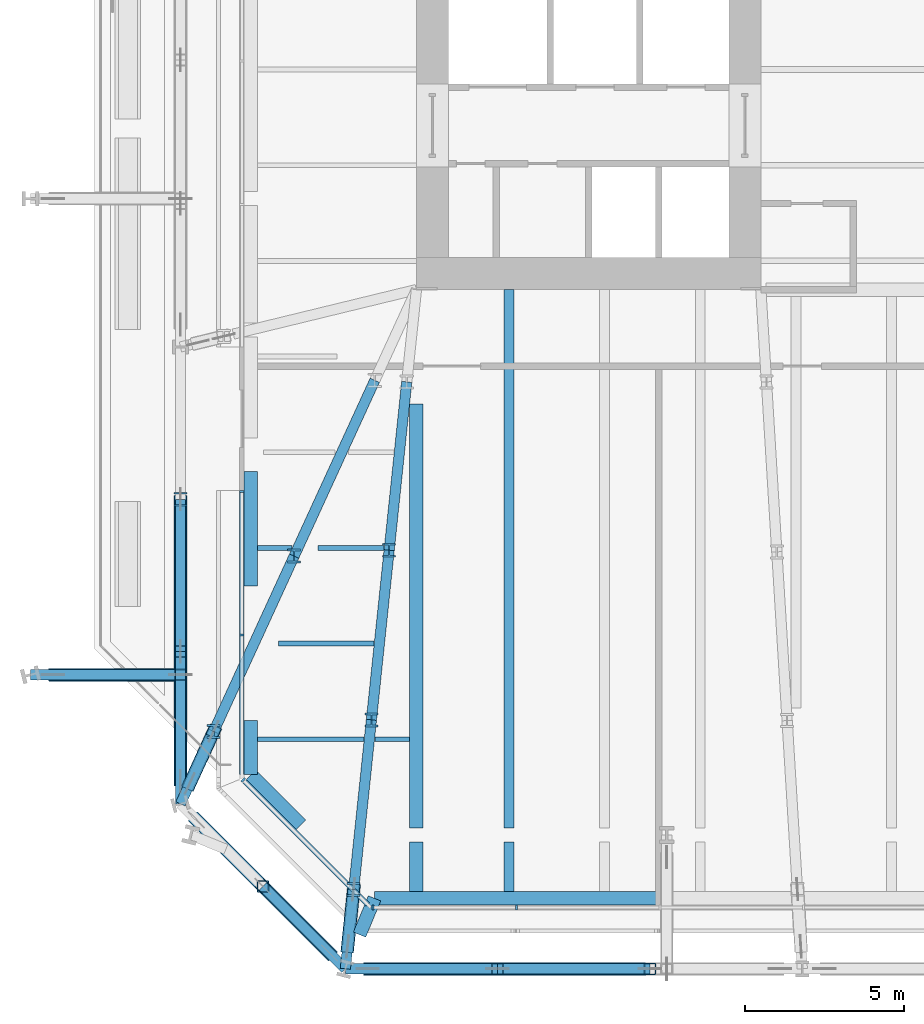
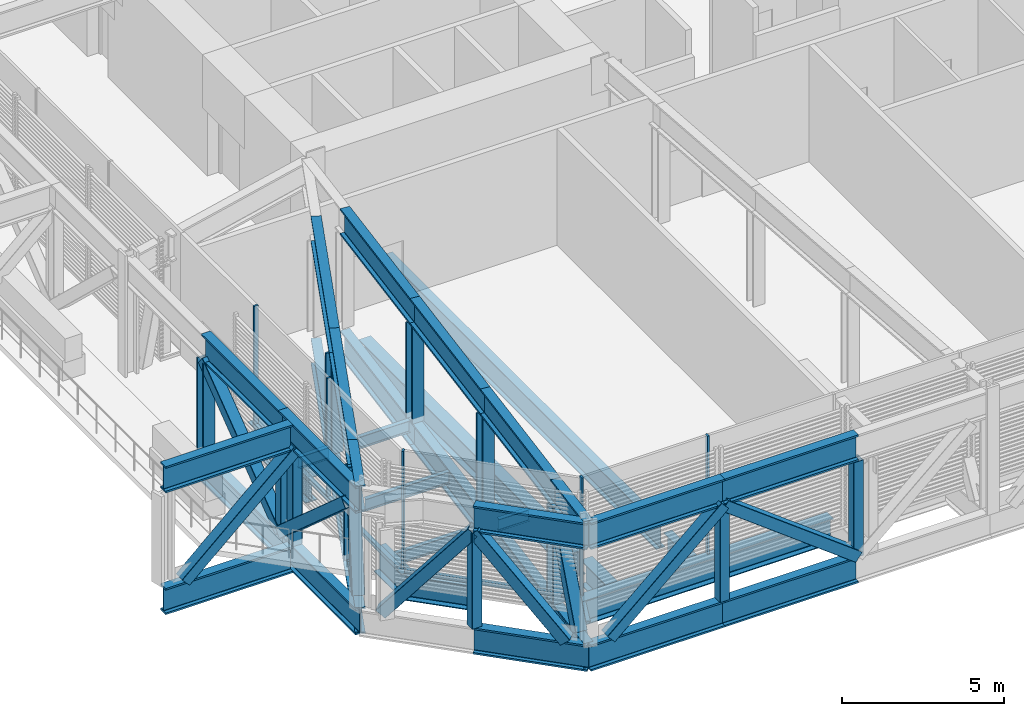
# One storey, part 2 of 29: 40 beams, 27 members, 3 elements without a shape of their own.
"""IFC4 building model written with IfcOpenShell, lengths in metres."""

from ifc_helpers import new_model, si_unit, direction, frame, origin, origin_2d, place, context, subcontext, project, spatial, rectangle, hollow_rectangle, i_section, extrude, material, layer, layer_set, material_profile, profile_set, type_object, element, aggregate, save


model = new_model("IFC4")

# Units and contexts
model_context = context("Model", 3, precision=1e-05, world=origin(), true_north=direction((0.0, 1.0)))
body_context = subcontext(model_context, "Body", "Model", "MODEL_VIEW")
ifc_project = project(units=[si_unit("LENGTHUNIT", "METRE"), si_unit("AREAUNIT", "SQUARE_METRE"), si_unit("VOLUMEUNIT", "CUBIC_METRE"), si_unit("PLANEANGLEUNIT", "RADIAN"), si_unit("MASSUNIT", "GRAM", prefix="KILO")], contexts=[model_context])

# Site, building, storey
site_placement = place(None, origin())
site = spatial("IfcSite", under=ifc_project, at=site_placement, CompositionType="ELEMENT")
building_placement = place(site_placement, origin())
building = spatial("IfcBuilding", under=site, at=building_placement, Name="Millrace Tower", CompositionType="ELEMENT")
storey_placement = place(building_placement, frame((0.0, 0.0, 68.60009765625)))
storey = spatial("IfcBuildingStorey", under=building, at=storey_placement, Name="L15", CompositionType="ELEMENT", Elevation=68.60009765625)

# Curtain wall, member
ifc_material_1 = material(Name="Aluminium and glass", Category="aluminium")
ifc_layer = layer(ifc_material_1, 0.14990234375)
ifc_layer_set = layer_set([ifc_layer], Name="Aluminium and glass")
curtain_wall_type = type_object("IfcCurtainWallType", Name="CW-5 truss and plant storey louvred infill", PredefinedType="NOTDEFINED", material=ifc_layer_set)
placement = place(storey_placement, origin())
curtain_wall_1 = element("IfcCurtainWall", 1, at=placement, inside=storey, type_object=curtain_wall_type, Name="Curtain wall B-F01 L15", PredefinedType="NOTDEFINED")
ifc_material_2 = material(Name="Aluminium", Category="aluminium")
ifc_material_profile_1 = material_profile(ifc_material_2, rectangle(XDim=0.06494140625, YDim=0.14990234375, at=origin_2d()))
ifc_profile_set_1 = profile_set([ifc_material_profile_1], Name="Aluminium")
member_type_1 = type_object("IfcMemberType", Name="CW-5 truss and plant storey louvred infill mullion", PredefinedType="MULLION", material=ifc_profile_set_1)
member_1_placement = place(storey_placement, frame((-20.330078125, -25.276123046875, 0.139892578125), z_axis=(0.0, 0.0, 1.0), x_axis=(0.707106781187, -0.707106781187, 0.0)))
member_1 = element("IfcMember", 2, at=member_1_placement, type_object=member_type_1, Name="CW5 mullion B-F01.1", PredefinedType="MULLION", context=body_context, shape_type="SweptSolid", body=[
    extrude(rectangle(XDim=0.06494140625, YDim=0.14990234375, at=origin_2d()), origin(), (0.0, 0.0, 1.0), 4.4599609375),
])

# Curtain wall, members
curtain_wall_2 = element("IfcCurtainWall", 3, at=placement, inside=storey, type_object=curtain_wall_type, Name="Curtain wall B-F02 L15", PredefinedType="NOTDEFINED")
member_2_placement = place(storey_placement, frame((-16.267578125, -29.27490234375, 0.139892578125), z_axis=(0.0, 0.0, 1.0), x_axis=(1.0, 0.0, 0.0)))
member_2 = element("IfcMember", 4, at=member_2_placement, type_object=member_type_1, Name="CW5 mullion B-F02.1", PredefinedType="MULLION", context=body_context, shape_type="SweptSolid", body=[
    extrude(rectangle(XDim=0.06494140625, YDim=0.14990234375, at=origin_2d()), origin(), (0.0, 0.0, 1.0), 4.4599609375),
])
member_3_placement = place(storey_placement, frame((-11.767578125, -29.27490234375, 0.139892578125), z_axis=(0.0, 0.0, 1.0), x_axis=(1.0, 0.0, 0.0)))
member_3 = element("IfcMember", 5, at=member_3_placement, type_object=member_type_1, Name="CW5 mullion B-F02.2", PredefinedType="MULLION", context=body_context, shape_type="SweptSolid", body=[
    extrude(rectangle(XDim=0.06494140625, YDim=0.14990234375, at=origin_2d()), origin(), (0.0, 0.0, 1.0), 4.4599609375),
])
aggregate(curtain_wall_2, [member_2, member_3])

curtain_wall_3 = element("IfcCurtainWall", 6, at=placement, inside=storey, type_object=curtain_wall_type, Name="Curtain wall B-F08 L15", PredefinedType="NOTDEFINED")
member_4_placement = place(storey_placement, frame((-20.375, -16.232421875, 0.139892578125), z_axis=(0.0, 0.0, 1.0), x_axis=(0.0, -1.0, 0.0)))
member_4 = element("IfcMember", 7, at=member_4_placement, type_object=member_type_1, Name="CW5 mullion B-F08.8", PredefinedType="MULLION", context=body_context, shape_type="SweptSolid", body=[
    extrude(rectangle(XDim=0.06494140625, YDim=0.14990234375, at=origin_2d()), origin(), (0.0, 0.0, 1.0), 4.4599609375),
])
member_5_placement = place(storey_placement, frame((-20.375, -20.732421875, 0.139892578125), z_axis=(0.0, 0.0, 1.0), x_axis=(0.0, -1.0, 0.0)))
member_5 = element("IfcMember", 8, at=member_5_placement, type_object=member_type_1, Name="CW5 mullion B-F08.9", PredefinedType="MULLION", context=body_context, shape_type="SweptSolid", body=[
    extrude(rectangle(XDim=0.06494140625, YDim=0.14990234375, at=origin_2d()), origin(), (0.0, 0.0, 1.0), 4.4599609375),
])

# Member
ifc_material_3 = material(Name="Aluminium", Category="aluminium")
ifc_material_profile_2 = material_profile(ifc_material_3, rectangle(XDim=0.14990234375, YDim=0.139892578125, at=origin_2d()))
ifc_profile_set_2 = profile_set([ifc_material_profile_2], Name="Aluminium")
member_type_2 = type_object("IfcMemberType", Name="CW-5 truss and plant storey louvred infill transom", PredefinedType="USERDEFINED", material=ifc_profile_set_2)
member_6_placement = place(storey_placement, frame((-20.2822265625, -25.32373046875, 0.06982421875), z_axis=(0.707084410407, -0.707129151258, 0.0), x_axis=(0.707129151258, 0.707084410407, 0.0)))
member_6 = element("IfcMember", 9, at=member_6_placement, type_object=member_type_2, Name="CW5 transom B-F01.1", ObjectType="TRANSOM", PredefinedType="USERDEFINED", context=body_context, shape_type="SweptSolid", body=[
    extrude(rectangle(XDim=0.14990234375, YDim=0.139892578125, at=origin_2d()), origin(), (0.0, 0.0, 1.0), 5.456787109375),
])

aggregate(curtain_wall_1, [member_1, member_6])

member_7_placement = place(storey_placement, frame((-20.375, -16.199951171875, 0.06982421875), z_axis=(0.0, -1.0, 0.0), x_axis=(1.0, 0.0, 0.0)))
member_7 = element("IfcMember", 10, at=member_7_placement, type_object=member_type_2, Name="CW5 transom B-F08.3", ObjectType="TRANSOM", PredefinedType="USERDEFINED", context=body_context, shape_type="SweptSolid", body=[
    extrude(rectangle(XDim=0.14990234375, YDim=0.139892578125, at=origin_2d()), origin(), (0.0, 0.0, 1.0), 8.900146484375),
])

aggregate(curtain_wall_3, [member_4, member_5, member_7])

# Beams
ifc_material_4 = material(Name="Steel ASTM A992 Grade 50", Category="steel")
ifc_material_profile_3 = material_profile(ifc_material_4, i_section(OverallWidth=0.15234375, OverallDepth=0.449462890625, WebThickness=0.007568359375, FlangeThickness=0.0107421875, FilletRadius=0.01025390625, at=origin_2d()))
ifc_profile_set_3 = profile_set([ifc_material_profile_3], Name="Steel ASTM A992 Grade 50")
beam_type_1 = type_object("IfcBeamType", Name="Floor beam W18x35", PredefinedType="JOIST", material=ifc_profile_set_3)
beam_1_placement = place(storey_placement, frame((-19.880859375, -24.0, -0.4248046875), z_axis=(1.0, 0.0, 0.0), x_axis=(0.0, 1.0, 0.0)))
element("IfcBeam", 11, at=beam_1_placement, inside=storey, type_object=beam_type_1, Name="BM-B-L15-S1-S003-a", PredefinedType="JOIST", context=body_context, shape_type="SweptSolid", body=[
    extrude(i_section(OverallWidth=0.15234375, OverallDepth=0.449462890625, WebThickness=0.007568359375, FlangeThickness=0.0107421875, FilletRadius=0.01025390625, at=origin_2d()), origin(), (0.0, 0.0, 1.0), 3.3349609375),
])
beam_2_placement = place(storey_placement, frame((-16.204345703125, -24.0, -0.4248046875), z_axis=(1.0, 0.0, 0.0), x_axis=(0.0, 1.0, 0.0)))
element("IfcBeam", 12, at=beam_2_placement, inside=storey, type_object=beam_type_1, Name="BM-B-L15-S1-S003-b", PredefinedType="JOIST", context=body_context, shape_type="SweptSolid", body=[
    extrude(i_section(OverallWidth=0.15234375, OverallDepth=0.449462890625, WebThickness=0.007568359375, FlangeThickness=0.0107421875, FilletRadius=0.01025390625, at=origin_2d()), origin(), (0.0, 0.0, 1.0), 1.093505859375),
])
beam_3_placement = place(storey_placement, frame((-19.223876953125, -21.0, -0.4248046875), z_axis=(1.0, 0.0, 0.0), x_axis=(0.0, 1.0, 0.0)))
element("IfcBeam", 13, at=beam_3_placement, inside=storey, type_object=beam_type_1, Name="BM-B-L15-S1-S005", PredefinedType="JOIST", context=body_context, shape_type="SweptSolid", body=[
    extrude(i_section(OverallWidth=0.15234375, OverallDepth=0.449462890625, WebThickness=0.007568359375, FlangeThickness=0.0107421875, FilletRadius=0.01025390625, at=origin_2d()), origin(), (0.0, 0.0, 1.0), 2.99169921875),
])
beam_4_placement = place(storey_placement, frame((-19.880859375, -18.0, -0.4248046875), z_axis=(1.0, 0.0, 0.0), x_axis=(0.0, 1.0, 0.0)))
element("IfcBeam", 14, at=beam_4_placement, inside=storey, type_object=beam_type_1, Name="BM-B-L15-S1-S007-a", PredefinedType="JOIST", context=body_context, shape_type="SweptSolid", body=[
    extrude(i_section(OverallWidth=0.15234375, OverallDepth=0.449462890625, WebThickness=0.007568359375, FlangeThickness=0.0107421875, FilletRadius=0.01025390625, at=origin_2d()), origin(), (0.0, 0.0, 1.0), 1.0869140625),
])
beam_5_placement = place(storey_placement, frame((-17.98193359375, -18.0, -0.4248046875), z_axis=(1.0, 0.0, 0.0), x_axis=(0.0, 1.0, 0.0)))
element("IfcBeam", 15, at=beam_5_placement, inside=storey, type_object=beam_type_1, Name="BM-B-L15-S1-S007-b", PredefinedType="JOIST", context=body_context, shape_type="SweptSolid", body=[
    extrude(i_section(OverallWidth=0.15234375, OverallDepth=0.449462890625, WebThickness=0.007568359375, FlangeThickness=0.0107421875, FilletRadius=0.01025390625, at=origin_2d()), origin(), (0.0, 0.0, 1.0), 2.063720703125),
])
ifc_material_5 = material(Name="Steel ASTM A992 Grade 50", Category="steel")
ifc_material_profile_4 = material_profile(ifc_material_5, i_section(OverallWidth=0.307373046875, OverallDepth=0.927001953125, WebThickness=0.01953125, FlangeThickness=0.031982421875, FilletRadius=0.01904296875, at=origin_2d()))
ifc_profile_set_4 = profile_set([ifc_material_profile_4], Name="Steel ASTM A992 Grade 50")
beam_type_2 = type_object("IfcBeamType", Name="Floor beam W36x194", PredefinedType="JOIST", material=ifc_profile_set_4)
beam_6_placement = place(storey_placement, frame((-12.0, -28.781005859375, -0.66357421875), z_axis=(0.0, 1.0, 0.0), x_axis=(-1.0, 0.0, 0.0)))
element("IfcBeam", 16, at=beam_6_placement, inside=storey, type_object=beam_type_2, Name="BM-B-L15-S1-S041-a", PredefinedType="JOIST", context=body_context, shape_type="SweptSolid", body=[
    extrude(i_section(OverallWidth=0.307373046875, OverallDepth=0.927001953125, WebThickness=0.01953125, FlangeThickness=0.031982421875, FilletRadius=0.01904296875, at=origin_2d()), origin(), (0.0, 0.0, 1.0), 1.559326171875),
])
beam_7_placement = place(storey_placement, frame((-12.0, -26.7783203125, -0.66357421875), z_axis=(0.0, 1.0, 0.0), x_axis=(-1.0, 0.0, 0.0)))
element("IfcBeam", 17, at=beam_7_placement, inside=storey, type_object=beam_type_2, Name="BM-B-L15-S1-S041-b", PredefinedType="JOIST", context=body_context, shape_type="SweptSolid", body=[
    extrude(i_section(OverallWidth=0.307373046875, OverallDepth=0.927001953125, WebThickness=0.01953125, FlangeThickness=0.031982421875, FilletRadius=0.01904296875, at=origin_2d()), origin(), (0.0, 0.0, 1.0), 16.87841796875),
])
ifc_material_6 = material(Name="Steel ASTM A992 Grade 50", Category="steel")
ifc_material_profile_5 = material_profile(ifc_material_6, i_section(OverallWidth=0.424072265625, OverallDepth=0.947509765625, WebThickness=0.02392578125, FlangeThickness=0.042724609375, FilletRadius=0.024169921875, at=origin_2d()))
ifc_profile_set_5 = profile_set([ifc_material_profile_5], Name="Steel ASTM A992 Grade 50")
beam_type_3 = type_object("IfcBeamType", Name="Girder medium span W36x302", PredefinedType="BEAM", material=ifc_profile_set_5)
beam_8_placement = place(storey_placement, frame((-14.89990234375, -26.781494140625, -0.673828125), z_axis=(0.0, 1.0, 0.0), x_axis=(-1.0, 0.0, 0.0)))
element("IfcBeam", 18, at=beam_8_placement, inside=storey, type_object=beam_type_3, Name="BM-B-L15-S1-G059-b-a", PredefinedType="BEAM", context=body_context, shape_type="SweptSolid", body=[
    extrude(i_section(OverallWidth=0.424072265625, OverallDepth=0.947509765625, WebThickness=0.02392578125, FlangeThickness=0.042724609375, FilletRadius=0.024169921875, at=origin_2d()), origin(), (0.0, 0.0, 1.0), 13.293212890625),
])
ifc_material_7 = material(Name="Steel ASTM A992 Grade 50", Category="steel")
ifc_material_profile_6 = material_profile(ifc_material_7, i_section(OverallWidth=0.424072265625, OverallDepth=0.947509765625, WebThickness=0.02392578125, FlangeThickness=0.042724609375, FilletRadius=0.024169921875, at=origin_2d()))
ifc_profile_set_6 = profile_set([ifc_material_profile_6], Name="Steel ASTM A992 Grade 50")
beam_type_4 = type_object("IfcBeamType", Name="Girder short span W36x302", PredefinedType="BEAM", material=ifc_profile_set_6)
beam_9_placement = place(storey_placement, frame((-14.89990234375, -28.781005859375, -0.673828125), z_axis=(0.0, 1.0, 0.0), x_axis=(-1.0, 0.0, 0.0)))
element("IfcBeam", 19, at=beam_9_placement, inside=storey, type_object=beam_type_4, Name="BM-B-L15-S1-G059-a", PredefinedType="BEAM", context=body_context, shape_type="SweptSolid", body=[
    extrude(i_section(OverallWidth=0.424072265625, OverallDepth=0.947509765625, WebThickness=0.02392578125, FlangeThickness=0.042724609375, FilletRadius=0.024169921875, at=origin_2d()), origin(), (0.0, 0.0, 1.0), 1.5625),
])
ifc_material_8 = material(Name="Steel ASTM A992 Grade 50", Category="steel")
ifc_material_profile_7 = material_profile(ifc_material_8, i_section(OverallWidth=0.421630859375, OverallDepth=0.95751953125, WebThickness=0.02587890625, FlangeThickness=0.046875, FilletRadius=0.024169921875, at=origin_2d()))
ifc_profile_set_7 = profile_set([ifc_material_profile_7], Name="Steel ASTM A992 Grade 50")
beam_type_5 = type_object("IfcBeamType", Name="Link beam W36x330", PredefinedType="BEAM", material=ifc_profile_set_7)
beam_10_placement = place(storey_placement, frame((-16.213134765625, -28.990478515625, -0.678955078125), z_axis=(-0.382701683298, -0.923871972516, 0.0), x_axis=(0.923871972516, -0.382701683298, 0.0)))
element("IfcBeam", 20, at=beam_10_placement, inside=storey, type_object=beam_type_5, Name="LNK-B-L15-S1-16", PredefinedType="BEAM", context=body_context, shape_type="SweptSolid", body=[
    extrude(i_section(OverallWidth=0.421630859375, OverallDepth=0.95751953125, WebThickness=0.02587890625, FlangeThickness=0.046875, FilletRadius=0.024169921875, at=origin_2d()), origin(), (0.0, 0.0, 1.0), 1.232421875),
])
ifc_material_9 = material(Name="Steel ASTM A992 Grade 50", Category="steel")
ifc_material_profile_8 = material_profile(ifc_material_9, i_section(OverallWidth=0.419189453125, OverallDepth=0.927001953125, WebThickness=0.019287109375, FlangeThickness=0.031982421875, FilletRadius=0.024169921875, at=origin_2d()))
ifc_profile_set_8 = profile_set([ifc_material_profile_8], Name="Steel ASTM A992 Grade 50")
beam_type_6 = type_object("IfcBeamType", Name="Ring beam short span W36x231", PredefinedType="SPANDREL", material=ifc_profile_set_8)
beam_11_placement = place(storey_placement, frame((-18.521240234375, -26.682373046875, -0.66357421875), z_axis=(-0.707106781187, 0.707106781187, 0.0), x_axis=(-0.707106781187, -0.707106781187, 0.0)))
element("IfcBeam", 21, at=beam_11_placement, inside=storey, type_object=beam_type_6, Name="RNG-B-L15-S1-16-b", PredefinedType="SPANDREL", context=body_context, shape_type="SweptSolid", body=[
    extrude(i_section(OverallWidth=0.419189453125, OverallDepth=0.927001953125, WebThickness=0.019287109375, FlangeThickness=0.031982421875, FilletRadius=0.024169921875, at=origin_2d()), origin(), (0.0, 0.0, 1.0), 2.218994140625),
])
beam_12_placement = place(storey_placement, frame((-7.212890625, -28.990478515625, -0.66357421875), z_axis=(-1.0, 0.0, 0.0), x_axis=(0.0, -1.0, 0.0)))
element("IfcBeam", 22, at=beam_12_placement, inside=storey, type_object=beam_type_6, Name="RNG-B-L15-S1-15-b", PredefinedType="SPANDREL", context=body_context, shape_type="SweptSolid", body=[
    extrude(i_section(OverallWidth=0.419189453125, OverallDepth=0.927001953125, WebThickness=0.019287109375, FlangeThickness=0.031982421875, FilletRadius=0.024169921875, at=origin_2d()), origin(), (0.0, 0.0, 1.0), 9.000244140625),
])
beam_13_placement = place(storey_placement, frame((-20.09033203125, -25.11328125, -0.66357421875), z_axis=(0.0, 1.0, 0.0), x_axis=(-1.0, 0.0, 0.0)))
element("IfcBeam", 23, at=beam_13_placement, inside=storey, type_object=beam_type_6, Name="RNG-B-L15-S1-01-a-a", PredefinedType="SPANDREL", context=body_context, shape_type="SweptSolid", body=[
    extrude(i_section(OverallWidth=0.419189453125, OverallDepth=0.927001953125, WebThickness=0.019287109375, FlangeThickness=0.031982421875, FilletRadius=0.024169921875, at=origin_2d()), origin(), (0.0, 0.0, 1.0), 1.69921875),
])
beam_14_placement = place(storey_placement, frame((-20.09033203125, -19.193359375, -0.66357421875), z_axis=(0.0, 1.0, 0.0), x_axis=(-1.0, 0.0, 0.0)))
element("IfcBeam", 24, at=beam_14_placement, inside=storey, type_object=beam_type_6, Name="RNG-B-L15-S1-01-a-b", PredefinedType="SPANDREL", context=body_context, shape_type="SweptSolid", body=[
    extrude(i_section(OverallWidth=0.419189453125, OverallDepth=0.927001953125, WebThickness=0.019287109375, FlangeThickness=0.031982421875, FilletRadius=0.024169921875, at=origin_2d()), origin(), (0.0, 0.0, 1.0), 3.591552734375),
])

# Members
ifc_material_10 = material(Name="Steel ASTM A992 Grade 50", Category="steel")
ifc_material_profile_9 = material_profile(ifc_material_10, i_section(OverallWidth=0.411376953125, OverallDepth=0.434326171875, WebThickness=0.035888671875, FlangeThickness=0.057373046875, FilletRadius=0.01513671875, at=origin_2d()))
ifc_profile_set_9 = profile_set([ifc_material_profile_9], Name="Steel ASTM A992 Grade 50")
member_type_3 = type_object("IfcMemberType", Name="Transfer truss Vierendeel moment post W14x311", PredefinedType="POST", material=ifc_profile_set_9)
for number, where, z_axis, x_axis, name in (
    (25, (-22.300048828125, -16.47607421875, -0.2001953125), (0.0, 0.0, 1.0), (1.0, 0.0, 0.0), "TRS-L15-R16-V01"),
    (26, (-21.257568359375, -23.756103515625, -0.2001953125), (0.0, 0.0, 1.0), (1.0, 0.0, 0.0), "TRS-L15-C01-V01"),
    (27, (-18.734375, -18.25732421875, -0.2001953125), (0.0, 0.0, 1.0), (1.0, 0.0, 0.0), "TRS-L15-C01-V02"),
    (28, (-16.868408203125, -28.713623046875, -0.2001953125), (0.0, 0.0, 1.0), (1.0, 0.0, 0.0), "TRS-L15-C02-V01"),
    (29, (-16.3115234375, -23.392578125, -0.2001953125), (0.0, 0.0, 1.0), (1.0, 0.0, 0.0), "TRS-L15-C02-V02"),
    (30, (-15.7548828125, -18.071533203125, -0.2001953125), (0.0, 0.0, 1.0), (1.0, 0.0, 0.0), "TRS-L15-C02-V03"),
):
    element("IfcMember", number, at=place(storey_placement, frame(where, z_axis=z_axis, x_axis=x_axis)), inside=storey, type_object=member_type_3, Name=name, PredefinedType="POST", context=body_context, shape_type="SweptSolid", body=[
        extrude(i_section(OverallWidth=0.411376953125, OverallDepth=0.434326171875, WebThickness=0.035888671875, FlangeThickness=0.057373046875, FilletRadius=0.01513671875, at=origin_2d()), origin(), (0.0, 0.0, 1.0), 3.60693359375),
    ])

# Beams
ifc_material_11 = material(Name="Steel ASTM A992 Grade 50", Category="steel")
ifc_material_profile_10 = material_profile(ifc_material_11, i_section(OverallWidth=0.322509765625, OverallDepth=0.9931640625, WebThickness=0.0361328125, FlangeThickness=0.06494140625, FilletRadius=0.01904296875, at=origin_2d()))
ifc_profile_set_10 = profile_set([ifc_material_profile_10], Name="Steel ASTM A992 Grade 50")
beam_type_7 = type_object("IfcBeamType", Name="Transfer truss chord W36x387", PredefinedType="BEAM", material=ifc_profile_set_10)
for number, where, z_axis, x_axis, name in (
    (31, (-19.714111328125, -28.6142578125, -0.69677734375), (0.707106781187, -0.707106781187, 0.0), (0.707106781187, 0.707106781187, 0.0), "TRS-L15-R01-B02"),
    (32, (-19.714111328125, -28.6142578125, 3.9033203125), (0.707106781187, -0.707106781187, 0.0), (0.707106781187, 0.707106781187, 0.0), "TRS-L15-R01-T02"),
):
    element("IfcBeam", number, at=place(storey_placement, frame(where, z_axis=z_axis, x_axis=x_axis)), inside=storey, type_object=beam_type_7, Name=name, PredefinedType="BEAM", context=body_context, shape_type="SweptSolid", body=[
        extrude(i_section(OverallWidth=0.322509765625, OverallDepth=0.9931640625, WebThickness=0.0361328125, FlangeThickness=0.06494140625, FilletRadius=0.01904296875, at=origin_2d()), origin(), (0.0, 0.0, 1.0), 3.65673828125),
    ])
for number, where, z_axis, x_axis, name in (
    (33, (-17.12841796875, -31.199951171875, -0.69677734375), (1.0, 0.0, 0.0), (0.0, 1.0, 0.0), "TRS-L15-R02-B01"),
    (34, (-17.12841796875, -31.199951171875, 3.9033203125), (1.0, 0.0, 0.0), (0.0, 1.0, 0.0), "TRS-L15-R02-T01"),
    (35, (-12.352294921875, -31.199951171875, -0.69677734375), (1.0, 0.0, 0.0), (0.0, 1.0, 0.0), "TRS-L15-R02-B02"),
    (36, (-12.352294921875, -31.199951171875, 3.9033203125), (1.0, 0.0, 0.0), (0.0, 1.0, 0.0), "TRS-L15-R02-T02"),
    (37, (-22.300048828125, -16.47607421875, -0.69677734375), (0.0, -1.0, 0.0), (1.0, 0.0, 0.0), "TRS-L15-R16-B02"),
    (38, (-22.300048828125, -16.47607421875, 3.9033203125), (0.0, -1.0, 0.0), (1.0, 0.0, 0.0), "TRS-L15-R16-T02"),
    (39, (-22.300048828125, -21.252197265625, -0.69677734375), (0.0, -1.0, 0.0), (1.0, 0.0, 0.0), "TRS-L15-R16-B03"),
    (40, (-22.300048828125, -21.252197265625, 3.9033203125), (0.0, -1.0, 0.0), (1.0, 0.0, 0.0), "TRS-L15-R16-T03"),
):
    element("IfcBeam", number, at=place(storey_placement, frame(where, z_axis=z_axis, x_axis=x_axis)), inside=storey, type_object=beam_type_7, Name=name, PredefinedType="BEAM", context=body_context, shape_type="SweptSolid", body=[
        extrude(i_section(OverallWidth=0.322509765625, OverallDepth=0.9931640625, WebThickness=0.0361328125, FlangeThickness=0.06494140625, FilletRadius=0.01904296875, at=origin_2d()), origin(), (0.0, 0.0, 1.0), 4.776123046875),
    ])
for number, where, z_axis, x_axis, name in (
    (41, (-22.300048828125, -26.0283203125, -0.69677734375), (0.417001038033, 0.908906009596, 0.0), (-0.908906009596, 0.417001038033, 0.0), "TRS-L15-C01-B01"),
    (42, (-22.300048828125, -26.0283203125, 3.9033203125), (0.417001038033, 0.908906009596, 0.0), (-0.908906009596, 0.417001038033, 0.0), "TRS-L15-C01-T01"),
):
    element("IfcBeam", number, at=place(storey_placement, frame(where, z_axis=z_axis, x_axis=x_axis)), inside=storey, type_object=beam_type_7, Name=name, PredefinedType="BEAM", context=body_context, shape_type="SweptSolid", body=[
        extrude(i_section(OverallWidth=0.322509765625, OverallDepth=0.9931640625, WebThickness=0.0361328125, FlangeThickness=0.06494140625, FilletRadius=0.01904296875, at=origin_2d()), origin(), (0.0, 0.0, 1.0), 2.5),
    ])
for number, where, z_axis, x_axis, name in (
    (43, (-21.257568359375, -23.756103515625, -0.69677734375), (0.417053457966, 0.908881957791, 0.0), (-0.908881957791, 0.417053457966, 0.0), "TRS-L15-C01-B02"),
    (44, (-21.257568359375, -23.756103515625, 3.9033203125), (0.417053457966, 0.908881957791, 0.0), (-0.908881957791, 0.417053457966, 0.0), "TRS-L15-C01-T02"),
):
    element("IfcBeam", number, at=place(storey_placement, frame(where, z_axis=z_axis, x_axis=x_axis)), inside=storey, type_object=beam_type_7, Name=name, PredefinedType="BEAM", context=body_context, shape_type="SweptSolid", body=[
        extrude(i_section(OverallWidth=0.322509765625, OverallDepth=0.9931640625, WebThickness=0.0361328125, FlangeThickness=0.06494140625, FilletRadius=0.01904296875, at=origin_2d()), origin(), (0.0, 0.0, 1.0), 6.050048828125),
    ])
for number, where, z_axis, x_axis, name in (
    (45, (-18.734375, -18.25732421875, -0.69677734375), (0.416997046893, 0.908907840698, 0.0), (-0.908907840698, 0.416997046893, 0.0), "TRS-L15-C01-B03"),
    (46, (-18.734375, -18.25732421875, 3.9033203125), (0.416997046893, 0.908907840698, 0.0), (-0.908907840698, 0.416997046893, 0.0), "TRS-L15-C01-T03"),
):
    element("IfcBeam", number, at=place(storey_placement, frame(where, z_axis=z_axis, x_axis=x_axis)), inside=storey, type_object=beam_type_7, Name=name, PredefinedType="BEAM", context=body_context, shape_type="SweptSolid", body=[
        extrude(i_section(OverallWidth=0.322509765625, OverallDepth=0.9931640625, WebThickness=0.0361328125, FlangeThickness=0.06494140625, FilletRadius=0.01904296875, at=origin_2d()), origin(), (0.0, 0.0, 1.0), 6.06494140625),
    ])
for number, where, z_axis, x_axis, name in (
    (47, (-17.12841796875, -31.199951171875, -0.69677734375), (0.104008627322, 0.994576394976, 0.0), (-0.994576394976, 0.104008627322, 0.0), "TRS-L15-C02-B01"),
    (48, (-17.12841796875, -31.199951171875, 3.9033203125), (0.104008627322, 0.994576394976, 0.0), (-0.994576394976, 0.104008627322, 0.0), "TRS-L15-C02-T01"),
):
    element("IfcBeam", number, at=place(storey_placement, frame(where, z_axis=z_axis, x_axis=x_axis)), inside=storey, type_object=beam_type_7, Name=name, PredefinedType="BEAM", context=body_context, shape_type="SweptSolid", body=[
        extrude(i_section(OverallWidth=0.322509765625, OverallDepth=0.9931640625, WebThickness=0.0361328125, FlangeThickness=0.06494140625, FilletRadius=0.01904296875, at=origin_2d()), origin(), (0.0, 0.0, 1.0), 2.5),
    ])
for number, where, z_axis, x_axis, name in (
    (49, (-16.868408203125, -28.713623046875, -0.69677734375), (0.104088538097, 0.994568034997, 0.0), (-0.994568034997, 0.104088538097, 0.0), "TRS-L15-C02-B02"),
    (50, (-16.868408203125, -28.713623046875, 3.9033203125), (0.104088538097, 0.994568034997, 0.0), (-0.994568034997, 0.104088538097, 0.0), "TRS-L15-C02-T02"),
    (51, (-16.3115234375, -23.392578125, -0.69677734375), (0.104043399328, 0.994572758051, 0.0), (-0.994572758051, 0.104043399328, 0.0), "TRS-L15-C02-B03"),
    (52, (-16.3115234375, -23.392578125, 3.9033203125), (0.104043399328, 0.994572758051, 0.0), (-0.994572758051, 0.104043399328, 0.0), "TRS-L15-C02-T03"),
):
    element("IfcBeam", number, at=place(storey_placement, frame(where, z_axis=z_axis, x_axis=x_axis)), inside=storey, type_object=beam_type_7, Name=name, PredefinedType="BEAM", context=body_context, shape_type="SweptSolid", body=[
        extrude(i_section(OverallWidth=0.322509765625, OverallDepth=0.9931640625, WebThickness=0.0361328125, FlangeThickness=0.06494140625, FilletRadius=0.01904296875, at=origin_2d()), origin(), (0.0, 0.0, 1.0), 5.35009765625),
    ])
for number, where, z_axis, x_axis, name in (
    (53, (-15.7548828125, -18.071533203125, -0.69677734375), (0.104030901272, 0.994574065407, 0.0), (-0.994574065407, 0.104030901272, 0.0), "TRS-L15-C02-B04"),
    (54, (-15.7548828125, -18.071533203125, 3.9033203125), (0.104030901272, 0.994574065407, 0.0), (-0.994574065407, 0.104030901272, 0.0), "TRS-L15-C02-T04"),
):
    element("IfcBeam", number, at=place(storey_placement, frame(where, z_axis=z_axis, x_axis=x_axis)), inside=storey, type_object=beam_type_7, Name=name, PredefinedType="BEAM", context=body_context, shape_type="SweptSolid", body=[
        extrude(i_section(OverallWidth=0.322509765625, OverallDepth=0.9931640625, WebThickness=0.0361328125, FlangeThickness=0.06494140625, FilletRadius=0.01904296875, at=origin_2d()), origin(), (0.0, 0.0, 1.0), 5.30615234375),
    ])
for number, where, z_axis, x_axis, name in (
    (55, (-27.0, -21.978515625, -0.69677734375), (1.0, 0.0, 0.0), (0.0, 1.0, 0.0), "TRS-L15-B-A-X01-B01"),
    (56, (-27.0, -21.978515625, 3.9033203125), (1.0, 0.0, 0.0), (0.0, 1.0, 0.0), "TRS-L15-B-A-X01-T01"),
):
    element("IfcBeam", number, at=place(storey_placement, frame(where, z_axis=z_axis, x_axis=x_axis)), inside=storey, type_object=beam_type_7, Name=name, PredefinedType="BEAM", context=body_context, shape_type="SweptSolid", body=[
        extrude(i_section(OverallWidth=0.322509765625, OverallDepth=0.9931640625, WebThickness=0.0361328125, FlangeThickness=0.06494140625, FilletRadius=0.01904296875, at=origin_2d()), origin(), (0.0, 0.0, 1.0), 4.538818359375),
    ])

# Members
ifc_material_12 = material(Name="Steel ASTM A500 Grade C", Category="steel")
ifc_material_profile_11 = material_profile(ifc_material_12, hollow_rectangle(XDim=0.406494140625, YDim=0.406494140625, WallThickness=0.015869140625, InnerFilletRadius=0.008056640625, OuterFilletRadius=0.02392578125, at=origin_2d()))
ifc_profile_set_11 = profile_set([ifc_material_profile_11], Name="Steel ASTM A500 Grade C")
member_type_4 = type_object("IfcMemberType", Name="Transfer truss diagonal HSS16x16x5/8", PredefinedType="BRACE", material=ifc_profile_set_11)
for number, where, z_axis, x_axis, name in (
    (57, (-21.804931640625, -26.5234375, -0.2001953125), (0.448287717745, -0.448287717745, 0.773353893271), (0.707106781187, 0.707106781187, 0.0), "TRS-L15-R01-D01"),
    (58, (-17.623291015625, -30.705078125, -0.2001953125), (-0.448287717745, 0.448287717745, 0.773353893271), (-0.707106781187, -0.707106781187, 0.0), "TRS-L15-R01-D02"),
):
    element("IfcMember", number, at=place(storey_placement, frame(where, z_axis=z_axis, x_axis=x_axis)), inside=storey, type_object=member_type_4, Name=name, PredefinedType="BRACE", context=body_context, shape_type="SweptSolid", body=[
        extrude(hollow_rectangle(XDim=0.406494140625, YDim=0.406494140625, WallThickness=0.015869140625, InnerFilletRadius=0.008056640625, OuterFilletRadius=0.02392578125, at=origin_2d()), origin(), (0.0, 0.0, 1.0), 4.6640625),
    ])
member_8_placement = place(storey_placement, frame((-16.428466796875, -31.199951171875, -0.2001953125), z_axis=(0.748897240511, 0.0, 0.662686142268), x_axis=(0.0, 1.0, 0.0)))
element("IfcMember", 59, at=member_8_placement, inside=storey, type_object=member_type_4, Name="TRS-L15-R02-D01", PredefinedType="BRACE", context=body_context, shape_type="SweptSolid", body=[
    extrude(hollow_rectangle(XDim=0.406494140625, YDim=0.406494140625, WallThickness=0.015869140625, InnerFilletRadius=0.008056640625, OuterFilletRadius=0.02392578125, at=origin_2d()), origin(), (0.0, 0.0, 1.0), 5.44287109375),
])
for number, where, z_axis, x_axis, name in (
    (60, (-7.576171875, -31.199951171875, -0.2001953125), (-0.798003334985, 0.0, 0.60265303231), (0.0, -1.0, 0.0), "TRS-L15-R02-D02"),
    (61, (-22.300048828125, -21.252197265625, -0.2001953125), (0.0, 0.798003334985, 0.60265303231), (-1.0, 0.0, 0.0), "TRS-L15-R16-D02"),
):
    element("IfcMember", number, at=place(storey_placement, frame(where, z_axis=z_axis, x_axis=x_axis)), inside=storey, type_object=member_type_4, Name=name, PredefinedType="BRACE", context=body_context, shape_type="SweptSolid", body=[
        extrude(hollow_rectangle(XDim=0.406494140625, YDim=0.406494140625, WallThickness=0.015869140625, InnerFilletRadius=0.008056640625, OuterFilletRadius=0.02392578125, at=origin_2d()), origin(), (0.0, 0.0, 1.0), 5.985107421875),
    ])
member_9_placement = place(storey_placement, frame((-22.300048828125, -21.252197265625, -0.2001953125), z_axis=(0.0, -0.748897240511, 0.662686142268), x_axis=(1.0, 0.0, 0.0)))
element("IfcMember", 62, at=member_9_placement, inside=storey, type_object=member_type_4, Name="TRS-L15-R16-D03", PredefinedType="BRACE", context=body_context, shape_type="SweptSolid", body=[
    extrude(hollow_rectangle(XDim=0.406494140625, YDim=0.406494140625, WallThickness=0.015869140625, InnerFilletRadius=0.008056640625, OuterFilletRadius=0.02392578125, at=origin_2d()), origin(), (0.0, 0.0, 1.0), 5.44287109375),
])
member_10_placement = place(storey_placement, frame((-22.008056640625, -25.39208984375, -0.2001953125), z_axis=(0.186175212326, 0.405842582237, 0.894779631394), x_axis=(-0.908925629, 0.416958272429, 0.0)))
element("IfcMember", 63, at=member_10_placement, inside=storey, type_object=member_type_4, Name="TRS-L15-C01-D01", PredefinedType="BRACE", context=body_context, shape_type="SweptSolid", body=[
    extrude(hollow_rectangle(XDim=0.406494140625, YDim=0.406494140625, WallThickness=0.015869140625, InnerFilletRadius=0.008056640625, OuterFilletRadius=0.02392578125, at=origin_2d()), origin(), (0.0, 0.0, 1.0), 4.031005859375),
])
member_11_placement = place(storey_placement, frame((-17.0556640625, -30.50390625, -0.2001953125), z_axis=(0.046452249165, 0.444112572526, 0.894766009341), x_axis=(-0.994574351701, 0.104028164156, 0.0)))
element("IfcMember", 64, at=member_11_placement, inside=storey, type_object=member_type_4, Name="TRS-L15-C02-D01", PredefinedType="BRACE", context=body_context, shape_type="SweptSolid", body=[
    extrude(hollow_rectangle(XDim=0.406494140625, YDim=0.406494140625, WallThickness=0.015869140625, InnerFilletRadius=0.008056640625, OuterFilletRadius=0.02392578125, at=origin_2d()), origin(), (0.0, 0.0, 1.0), 4.03125),
])
member_12_placement = place(storey_placement, frame((-26.300048828125, -21.978515625, -0.2001953125), z_axis=(0.742653704711, 0.0, 0.669675649011), x_axis=(0.0, 1.0, 0.0)))
element("IfcMember", 65, at=member_12_placement, inside=storey, type_object=member_type_4, Name="TRS-L15-B-A-X01-D01", PredefinedType="BRACE", context=body_context, shape_type="SweptSolid", body=[
    extrude(hollow_rectangle(XDim=0.406494140625, YDim=0.406494140625, WallThickness=0.015869140625, InnerFilletRadius=0.008056640625, OuterFilletRadius=0.02392578125, at=origin_2d()), origin(), (0.0, 0.0, 1.0), 5.385986328125),
])
ifc_material_13 = material(Name="Steel ASTM A500 Grade C", Category="steel")
ifc_material_profile_12 = material_profile(ifc_material_13, hollow_rectangle(XDim=0.355712890625, YDim=0.355712890625, WallThickness=0.015869140625, InnerFilletRadius=0.008056640625, OuterFilletRadius=0.02392578125, at=origin_2d()))
ifc_profile_set_12 = profile_set([ifc_material_profile_12], Name="Steel ASTM A500 Grade C")
member_type_5 = type_object("IfcMemberType", Name="Transfer truss post HSS14x14x5/8", PredefinedType="POST", material=ifc_profile_set_12)
for number, where, z_axis, x_axis, name in (
    (66, (-19.714111328125, -28.6142578125, -0.2001953125), (0.0, 0.0, 1.0), (1.0, 0.0, 0.0), "TRS-L15-R01-V01"),
    (67, (-12.352294921875, -31.199951171875, -0.2001953125), (0.0, 0.0, 1.0), (1.0, 0.0, 0.0), "TRS-L15-R02-V01"),
    (68, (-7.576171875, -31.199951171875, -0.2001953125), (0.0, 0.0, 1.0), (1.0, 0.0, 0.0), "TRS-L15-R02-V02"),
    (69, (-22.300048828125, -21.252197265625, -0.2001953125), (0.0, 0.0, 1.0), (1.0, 0.0, 0.0), "TRS-L15-R16-V02"),
    (70, (-22.300048828125, -21.978515625, -0.2001953125), (0.0, 0.0, 1.0), (1.0, 0.0, 0.0), "TRS-L15-B-A-X01-V01"),
):
    element("IfcMember", number, at=place(storey_placement, frame(where, z_axis=z_axis, x_axis=x_axis)), inside=storey, type_object=member_type_5, Name=name, PredefinedType="POST", context=body_context, shape_type="SweptSolid", body=[
        extrude(hollow_rectangle(XDim=0.355712890625, YDim=0.355712890625, WallThickness=0.015869140625, InnerFilletRadius=0.008056640625, OuterFilletRadius=0.02392578125, at=origin_2d()), origin(), (0.0, 0.0, 1.0), 3.60693359375),
    ])

save(model, "model.ifc")
